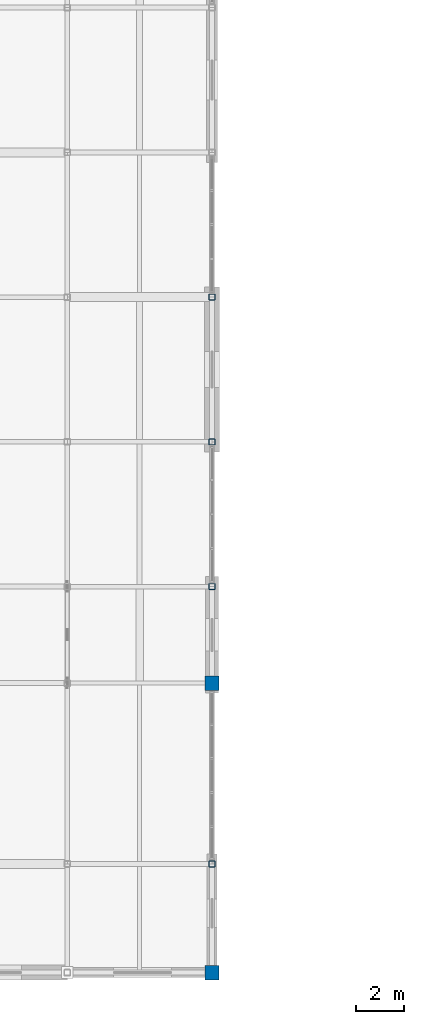
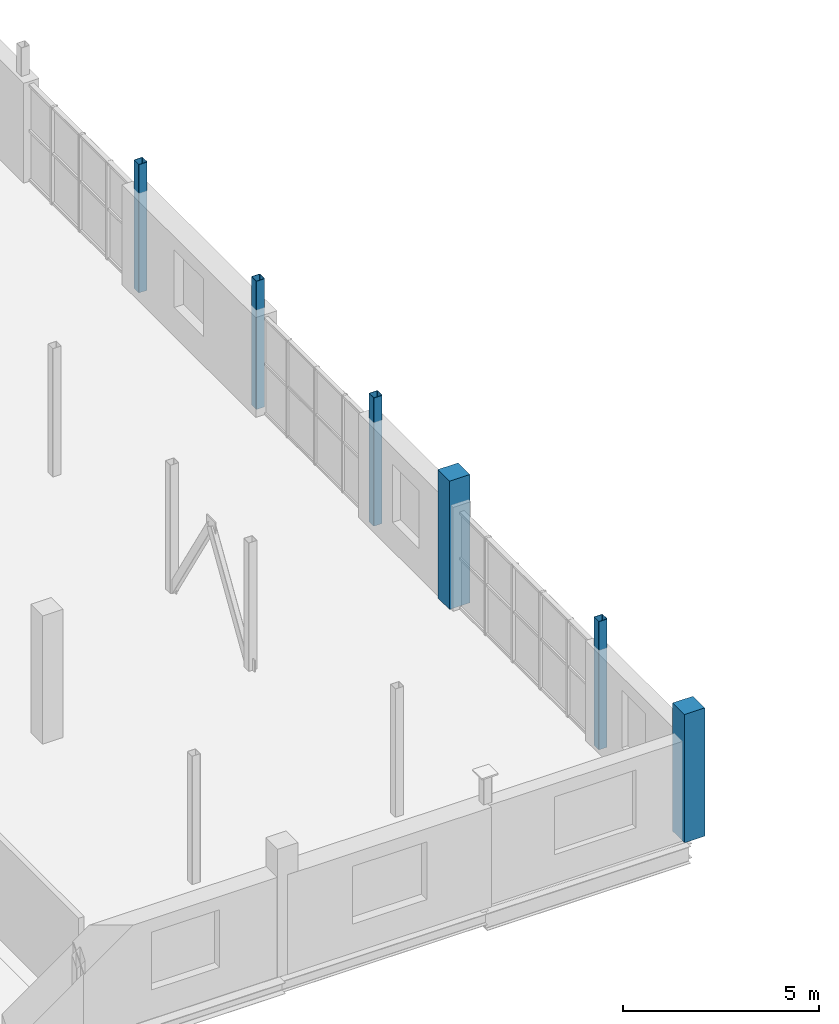
# One storey, part 3 of 35: 6 columns.
"""IFC4 building model written with IfcOpenShell, lengths in metres."""

from ifc_helpers import new_model, si_unit, direction, frame, origin, origin_2d, place, context, subcontext, project, spatial, rectangle, hollow_rectangle, extrude, material, material_profile, profile_set, type_object, element, save


model = new_model("IFC4")

# Units and contexts
model_context = context("Model", 3, precision=1e-05, world=origin(), true_north=direction((0.0, 1.0)))
body_context = subcontext(model_context, "Body", "Model", "MODEL_VIEW")
ifc_project = project(units=[si_unit("LENGTHUNIT", "METRE"), si_unit("AREAUNIT", "SQUARE_METRE"), si_unit("VOLUMEUNIT", "CUBIC_METRE"), si_unit("PLANEANGLEUNIT", "RADIAN"), si_unit("MASSUNIT", "GRAM", prefix="KILO")], contexts=[model_context])

# Site, building, storey
site_placement = place(None, origin())
site = spatial("IfcSite", under=ifc_project, at=site_placement, CompositionType="ELEMENT")
building_placement = place(site_placement, origin())
building = spatial("IfcBuilding", under=site, at=building_placement, Name="Verrall Gate Interchange", CompositionType="ELEMENT")
storey_placement = place(building_placement, frame((0.0, 0.0, 15.39990234375)))
storey = spatial("IfcBuildingStorey", under=building, at=storey_placement, Name="L04", CompositionType="ELEMENT", Elevation=15.39990234375)

# Columns
ifc_material_1 = material(Name="Concrete CSA A23.1 40 MPa (Class N)", Category="concrete")
ifc_material_profile_1 = material_profile(ifc_material_1, rectangle(XDim=0.60009765625, YDim=0.60009765625, at=origin_2d()), Name="RC600x600")
ifc_profile_set_1 = profile_set([ifc_material_profile_1], Name="Concrete CSA A23.1 40 MPa (Class N)")
column_type_1 = type_object("IfcColumnType", Name="C-04 Column RC600x600", PredefinedType="COLUMN", material=ifc_profile_set_1)
for number, where, z_axis, x_axis, name in (
    (1, (36.0, 0.0, 0.0), (0.0, 0.0, 1.0), (1.0, 0.0, 0.0), "L04 Column COL-L04-0721 (C-04)"),
    (2, (36.0, 12.0, 0.0), (0.0, 0.0, 1.0), (1.0, 0.0, 0.0), "L04 Column COL-L04-0735 (C-04)"),
):
    element("IfcColumn", number, at=place(storey_placement, frame(where, z_axis=z_axis, x_axis=x_axis)), inside=storey, type_object=column_type_1, Name=name, PredefinedType="COLUMN", context=body_context, shape_type="SweptSolid", body=[
        extrude(rectangle(XDim=0.60009765625, YDim=0.60009765625, at=origin_2d()), origin(), (0.0, 0.0, 1.0), 4.0),
    ])
ifc_material_2 = material(Name="Structural Steel CSA G40.21 350WT Cat 4", Category="steel")
ifc_material_profile_2 = material_profile(ifc_material_2, hollow_rectangle(XDim=0.25390625, YDim=0.25390625, WallThickness=0.009521484375, InnerFilletRadius=0.009521484375, OuterFilletRadius=0.01904296875, at=origin_2d()), Name="HSS254x254x9.5")
ifc_profile_set_2 = profile_set([ifc_material_profile_2], Name="Structural Steel CSA G40.21 350WT Cat 4")
column_type_2 = type_object("IfcColumnType", Name="C-13 Column HSS254x254x9.5", PredefinedType="COLUMN", material=ifc_profile_set_2)
for number, where, z_axis, x_axis, name in (
    (3, (36.0, 4.5, 0.0), (0.0, 0.0, 1.0), (1.0, 0.0, 0.0), "L04 Column COL-L04-0727 (C-13)"),
    (4, (36.0, 16.0, 0.0), (0.0, 0.0, 1.0), (1.0, 0.0, 0.0), "L04 Column COL-L04-0743 (C-13)"),
    (5, (36.0, 22.0, 0.0), (0.0, 0.0, 1.0), (1.0, 0.0, 0.0), "L04 Column COL-L04-0751 (C-13)"),
    (6, (36.0, 28.0, 0.0), (0.0, 0.0, 1.0), (1.0, 0.0, 0.0), "L04 Column COL-L04-0759 (C-13)"),
):
    element("IfcColumn", number, at=place(storey_placement, frame(where, z_axis=z_axis, x_axis=x_axis)), inside=storey, type_object=column_type_2, Name=name, PredefinedType="COLUMN", context=body_context, shape_type="SweptSolid", body=[
        extrude(hollow_rectangle(XDim=0.25390625, YDim=0.25390625, WallThickness=0.009521484375, InnerFilletRadius=0.009521484375, OuterFilletRadius=0.01904296875, at=origin_2d()), origin(), (0.0, 0.0, 1.0), 4.0),
    ])

save(model, "model.ifc")
